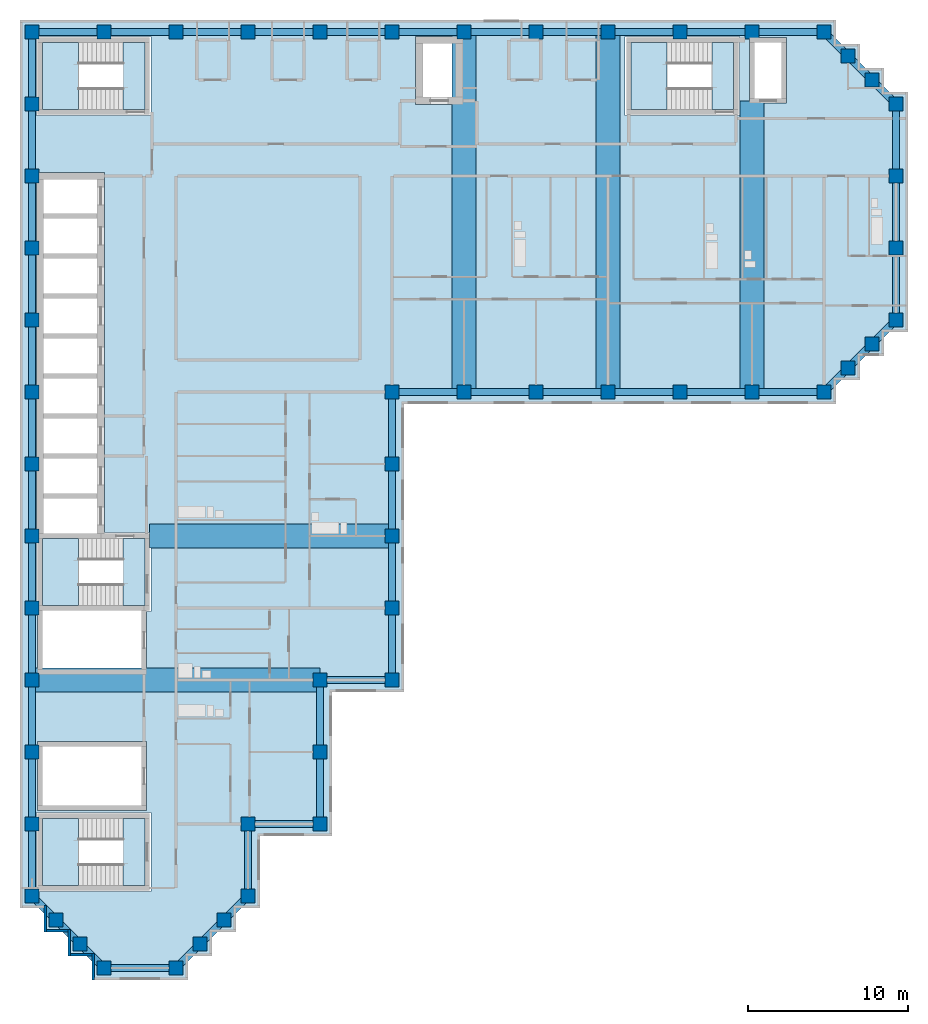
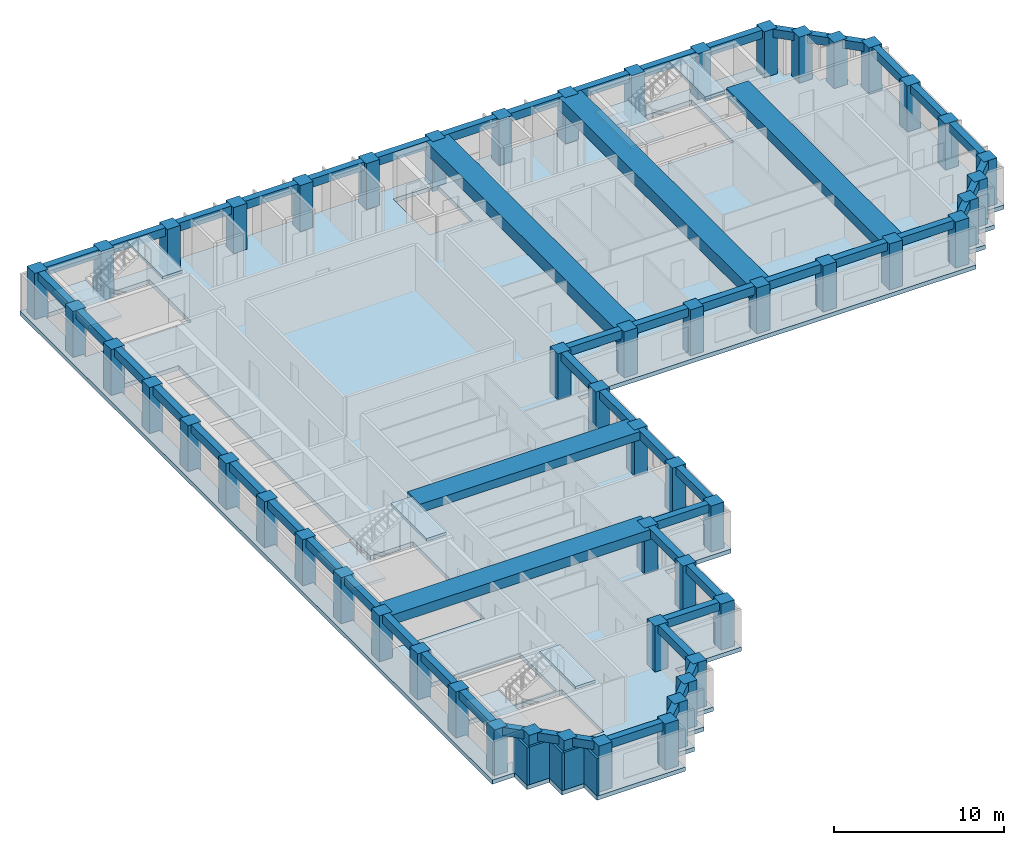
# One storey, part 1 of 10: 59 beams, 54 columns, 9 slabs, 5 walls, 4 elements without a shape of their own.
"""IFC4 building model written with IfcOpenShell, lengths in metres."""

import ifcopenshell
import ifcopenshell.guid

model = None  # the IFC model being written
_history = None  # IfcOwnerHistory: only IFC2X3 demands one
_inside = {}  # id of a spatial element -> (the spatial element, [elements in it])
_under = {}  # id of a project, library or spatial element -> (it, [spatial elements below it])
_declared = {}  # id of a project -> (the project, [libraries it declares])
_typed = {}  # id of a type object -> (the type object, [elements of that type])
_made_of = {}  # id of a material, layer set ... -> (it, [elements and type objects made of it])


def new_model(schema):
    """Start an empty IFC model of exactly this schema.

    Asked for "IFC4X3", IfcOpenShell would pick the latest addendum, in which some entities
    have other attributes; the version numbers below select the first issue.
    IFC2X3 requires an IfcOwnerHistory on every rooted entity: one is made here for all.
    """
    global model, _history
    if schema == "IFC4X3":
        model = ifcopenshell.file(schema_version=(4, 3, 0, 0))
    else:
        model = ifcopenshell.file(schema=schema)
    _inside.clear()
    _under.clear()
    _declared.clear()
    _typed.clear()
    _made_of.clear()
    _history = None
    if model.schema == "IFC2X3":
        org = make("IfcOrganization", Name="unknown")
        user = make(
            "IfcPersonAndOrganization",
            ThePerson=make("IfcPerson", FamilyName="unknown"),
            TheOrganization=org,
        )
        app = make(
            "IfcApplication",
            ApplicationDeveloper=org,
            Version="unknown",
            ApplicationFullName="unknown",
            ApplicationIdentifier="unknown",
        )
        _history = make(
            "IfcOwnerHistory",
            OwningUser=user,
            OwningApplication=app,
            ChangeAction="ADDED",
            CreationDate=0,
        )
    return model


def make(cls, **values):
    """One entity of the class cls with the attributes given. An attribute that is None is left unset."""
    return model.create_entity(
        cls, **{name: value for name, value in values.items() if value is not None}
    )


def rooted(cls, **values):
    """An entity with a GlobalId (a new one), such as an element, a storey or a relation."""
    return make(cls, GlobalId=ifcopenshell.guid.new(), OwnerHistory=_history, **values)


def si_unit(unit_type, name, prefix=None):
    """IfcSIUnit, for example si_unit("LENGTHUNIT", "METRE", prefix="MILLI")."""
    return make("IfcSIUnit", UnitType=unit_type, Prefix=prefix, Name=name)


def assignment(units):
    """IfcUnitAssignment: the units of a project."""
    return None if units is None else make("IfcUnitAssignment", Units=units)


def point(xyz):
    """IfcCartesianPoint."""
    return None if xyz is None else make("IfcCartesianPoint", Coordinates=xyz)


def direction(xyz):
    """IfcDirection."""
    return None if xyz is None else make("IfcDirection", DirectionRatios=xyz)


def frame(location, z_axis=None, x_axis=None):
    """IfcAxis2Placement3D, a coordinate frame: its origin and axes. An axis left out is left unset."""
    return make(
        "IfcAxis2Placement3D",
        Location=point(location),
        Axis=direction(z_axis),
        RefDirection=direction(x_axis),
    )


def frame_2d(location, x_axis=None):
    """IfcAxis2Placement2D, a coordinate frame in the plane: its origin and x axis."""
    return make(
        "IfcAxis2Placement2D", Location=point(location), RefDirection=direction(x_axis)
    )


def origin():
    """The frame at (0, 0, 0) with its axes left unset."""
    return frame((0.0, 0.0, 0.0))


def origin_2d():
    """The frame at (0, 0) in the plane with its x axis left unset."""
    return frame_2d((0.0, 0.0))


def place(relative_to, where):
    """IfcLocalPlacement: puts the frame where relative to a parent placement (None: the world)."""
    return make(
        "IfcLocalPlacement", PlacementRelTo=relative_to, RelativePlacement=where
    )


def context(
    kind, dimensions, precision=None, world=None, true_north=None, identifier=None
):
    """IfcGeometricRepresentationContext, for example the 3D "Model" context."""
    return make(
        "IfcGeometricRepresentationContext",
        ContextIdentifier=identifier,
        ContextType=kind,
        CoordinateSpaceDimension=dimensions,
        Precision=precision,
        WorldCoordinateSystem=world,
        TrueNorth=true_north,
    )


def subcontext(parent, identifier, kind, view, scale=None):
    """IfcGeometricRepresentationSubContext, for example "Body" below "Model"."""
    return make(
        "IfcGeometricRepresentationSubContext",
        ContextIdentifier=identifier,
        ContextType=kind,
        ParentContext=parent,
        TargetScale=scale,
        TargetView=view,
    )


def project(units=None, contexts=None):
    """IfcProject with its units and contexts."""
    return rooted(
        "IfcProject",
        Name="project",
        RepresentationContexts=contexts,
        UnitsInContext=assignment(units),
    )


def spatial(cls, under=None, at=None, **own):
    """A site, building, storey or space (cls), placed at a placement, below another one or the project."""
    s = rooted(cls, ObjectPlacement=at, **own)
    if under is not None:
        _under.setdefault(under.id(), (under, []))[1].append(s)
    return s


def polyline(points):
    """IfcPolyline through the points."""
    return make("IfcPolyline", Points=[point(p) for p in points])


def profile(cls, at=None, kind="AREA", **sizes):
    """A parametric profile (cls). Its sizes go by their IFC names, for example OverallWidth=200.0."""
    return make(cls, ProfileType=kind, Position=at, **sizes)


def rectangle(**sizes):
    """IfcRectangleProfileDef."""
    return profile("IfcRectangleProfileDef", **sizes)


def outline(outer, holes=None, kind="AREA"):
    """IfcArbitraryClosedProfileDef: a profile drawn as a closed curve; with holes, ...WithVoids."""
    if holes is None:
        return make("IfcArbitraryClosedProfileDef", ProfileType=kind, OuterCurve=outer)
    return make(
        "IfcArbitraryProfileDefWithVoids",
        ProfileType=kind,
        OuterCurve=outer,
        InnerCurves=holes,
    )


def extrude(swept, where, along, depth):
    """IfcExtrudedAreaSolid: the profile swept, set in the frame where, extruded along a direction by depth."""
    return make(
        "IfcExtrudedAreaSolid",
        SweptArea=swept,
        Position=where,
        ExtrudedDirection=direction(along),
        Depth=depth,
    )


def shape(context_of_items, identifier, shape_type, items):
    """IfcShapeRepresentation: the items that make up one representation, for example the "Body"."""
    return make(
        "IfcShapeRepresentation",
        ContextOfItems=context_of_items,
        RepresentationIdentifier=identifier,
        RepresentationType=shape_type,
        Items=items,
    )


def material(Name=None, Category=None):
    """IfcMaterial."""
    return make("IfcMaterial", Name=Name, Category=Category)


def layer(
    of_material, thickness, ventilated=None, Name=None, Category=None, Priority=None
):
    """IfcMaterialLayer: one layer of a wall or slab, of a material (None: an air gap)."""
    return make(
        "IfcMaterialLayer",
        Material=of_material,
        LayerThickness=thickness,
        IsVentilated=ventilated,
        Name=Name,
        Category=Category,
        Priority=Priority,
    )


def layer_set(layers, Name=None):
    """IfcMaterialLayerSet."""
    return make("IfcMaterialLayerSet", MaterialLayers=layers, LayerSetName=Name)


def material_profile(
    of_material, cross_section, Name=None, Category=None, Priority=None
):
    """IfcMaterialProfile: a cross section and its material."""
    return make(
        "IfcMaterialProfile",
        Name=Name,
        Material=of_material,
        Profile=cross_section,
        Priority=Priority,
        Category=Category,
    )


def profile_set(profiles, Name=None, composite=None):
    """IfcMaterialProfileSet."""
    return make(
        "IfcMaterialProfileSet",
        Name=Name,
        MaterialProfiles=profiles,
        CompositeProfile=composite,
    )


def made_of(thing, what):
    """Note that an element or type object is made of a material, layer set ...; save() writes the relation."""
    if what is not None:
        _made_of.setdefault(what.id(), (what, []))[1].append(thing)
    return thing


def type_object(cls, material=None, **own):
    """A type object (cls), such as IfcWallType, which elements share."""
    return made_of(rooted(cls, **own), material)


def element(
    cls,
    number,
    at=None,
    inside=None,
    cuts=None,
    type_object=None,
    material=None,
    context=None,
    identifier="Body",
    shape_type=None,
    held_by="IfcProductDefinitionShape",
    body=None,
    shapes=None,
    **own,
):
    """One element of the class cls, such as IfcWall. Its Tag is "e" and its number.

    at: its placement. inside: the storey or other place that contains it. cuts: it is an
    opening in that element (IfcRelVoidsElement). A single representation is given by context,
    identifier, shape_type and body (its items); several are given by shapes. held_by: the class
    of the entity that holds the representations. save() writes the other relations.
    """
    e = rooted(cls, Tag="e%d" % number, ObjectPlacement=at, **own)
    if body is not None:
        shapes = [shape(context, identifier, shape_type, body)]
    if shapes is not None:
        e.Representation = make(held_by, Representations=shapes)
    if inside is not None:
        _inside.setdefault(inside.id(), (inside, []))[1].append(e)
    if cuts is not None:
        rooted(
            "IfcRelVoidsElement", RelatingBuildingElement=cuts, RelatedOpeningElement=e
        )
    if type_object is not None:
        _typed.setdefault(type_object.id(), (type_object, []))[1].append(e)
    return made_of(e, material)


def aggregate(whole, parts):
    """IfcRelAggregates: a whole, such as a stair, and the parts it consists of."""
    return rooted("IfcRelAggregates", RelatingObject=whole, RelatedObjects=parts)


def save(model, path):
    """Write the relations noted so far, then the file.

    IfcRelAggregates (storeys below a building ...), IfcRelContainedInSpatialStructure (elements
    in a storey), IfcRelDefinesByType, IfcRelAssociatesMaterial and IfcRelDeclares: one each for
    every whole, place, type object, material and project.
    """
    for whole, parts in _under.values():
        aggregate(whole, parts)
    for where, things in _inside.values():
        rooted(
            "IfcRelContainedInSpatialStructure",
            RelatedElements=things,
            RelatingStructure=where,
        )
    for kind, things in _typed.values():
        rooted("IfcRelDefinesByType", RelatedObjects=things, RelatingType=kind)
    for what, things in _made_of.values():
        rooted("IfcRelAssociatesMaterial", RelatedObjects=things, RelatingMaterial=what)
    for by, libraries in _declared.values():
        rooted("IfcRelDeclares", RelatingContext=by, RelatedDefinitions=libraries)
    model.write(path)


model = new_model("IFC4")

# Units and contexts
model_context = context("Model", 3, precision=1e-05, world=origin(), true_north=direction((0.0, 1.0)))
body_context = subcontext(model_context, "Body", "Model", "MODEL_VIEW")
ifc_project = project(units=[si_unit("LENGTHUNIT", "METRE"), si_unit("AREAUNIT", "SQUARE_METRE"), si_unit("VOLUMEUNIT", "CUBIC_METRE"), si_unit("PLANEANGLEUNIT", "RADIAN"), si_unit("MASSUNIT", "GRAM", prefix="KILO")], contexts=[model_context])

# Site, building, storey
site_placement = place(None, origin())
site = spatial("IfcSite", under=ifc_project, at=site_placement, CompositionType="ELEMENT")
building_placement = place(site_placement, origin())
building = spatial("IfcBuilding", under=site, at=building_placement, Name="Firuza Court", CompositionType="ELEMENT")
storey_placement = place(building_placement, frame((0.0, 0.0, 193.39990234375)))
storey = spatial("IfcBuildingStorey", under=building, at=storey_placement, Name="L49", CompositionType="ELEMENT", Elevation=193.39990234375)

# Columns
ifc_material_1 = material(Name="Concrete C50/60", Category="concrete")
ifc_material_profile_1 = material_profile(ifc_material_1, rectangle(XDim=0.89990234375, YDim=0.89990234375, at=origin_2d()), Name="RC 900x900")
ifc_profile_set_1 = profile_set([ifc_material_profile_1], Name="Concrete C50/60")
column_type = type_object("IfcColumnType", Name="Tube column RC 900x900 C50/60", PredefinedType="COLUMN", material=ifc_profile_set_1)
for number, where, z_axis, x_axis, name in (
    (1, (4.5, 0.0, -0.2998046875), (0.0, 0.0, 1.0), (1.0, 0.0, 0.0), "Column C-2D L49"),
    (2, (9.0, 0.0, -0.2998046875), (0.0, 0.0, 1.0), (1.0, 0.0, 0.0), "Column C-3D L49"),
    (3, (3.0, 1.5, -0.2998046875), (0.0, 0.0, 1.0), (1.0, 0.0, 0.0), "Column C-SA1 L49"),
    (4, (10.5, 1.5, -0.2998046875), (0.0, 0.0, 1.0), (1.0, 0.0, 0.0), "Column C-SA2 L49"),
    (5, (1.5, 3.0, -0.2998046875), (0.0, 0.0, 1.0), (1.0, 0.0, 0.0), "Column C-SA3 L49"),
    (6, (12.0, 3.0, -0.2998046875), (0.0, 0.0, 1.0), (1.0, 0.0, 0.0), "Column C-SA4 L49"),
    (7, (0.0, 4.5, -0.2998046875), (0.0, 0.0, 1.0), (1.0, 0.0, 0.0), "Column C-1E L49"),
    (8, (13.5, 4.5, -0.2998046875), (0.0, 0.0, 1.0), (1.0, 0.0, 0.0), "Column C-4E L49"),
    (9, (0.0, 9.0, -0.2998046875), (0.0, 0.0, 1.0), (1.0, 0.0, 0.0), "Column C-1F L49"),
    (10, (13.5, 9.0, -0.2998046875), (0.0, 0.0, 1.0), (1.0, 0.0, 0.0), "Column C-4F L49"),
    (11, (18.0, 9.0, -0.2998046875), (0.0, 0.0, 1.0), (1.0, 0.0, 0.0), "Column C-5F L49"),
    (12, (0.0, 13.5, -0.2998046875), (0.0, 0.0, 1.0), (1.0, 0.0, 0.0), "Column C-1G L49"),
    (13, (18.0, 13.5, -0.2998046875), (0.0, 0.0, 1.0), (1.0, 0.0, 0.0), "Column C-5G L49"),
    (14, (0.0, 18.0, -0.2998046875), (0.0, 0.0, 1.0), (1.0, 0.0, 0.0), "Column C-1H L49"),
    (15, (18.0, 18.0, -0.2998046875), (0.0, 0.0, 1.0), (1.0, 0.0, 0.0), "Column C-5H L49"),
    (16, (22.5, 18.0, -0.2998046875), (0.0, 0.0, 1.0), (1.0, 0.0, 0.0), "Column C-6H L49"),
    (17, (0.0, 22.5, -0.2998046875), (0.0, 0.0, 1.0), (1.0, 0.0, 0.0), "Column C-1J L49"),
    (18, (22.5, 22.5, -0.2998046875), (0.0, 0.0, 1.0), (1.0, 0.0, 0.0), "Column C-6J L49"),
    (19, (0.0, 27.0, -0.2998046875), (0.0, 0.0, 1.0), (1.0, 0.0, 0.0), "Column C-1K L49"),
    (20, (22.5, 27.0, -0.2998046875), (0.0, 0.0, 1.0), (1.0, 0.0, 0.0), "Column C-6K L49"),
    (21, (0.0, 31.5, -0.2998046875), (0.0, 0.0, 1.0), (1.0, 0.0, 0.0), "Column C-1L L49"),
    (22, (22.5, 31.5, -0.2998046875), (0.0, 0.0, 1.0), (1.0, 0.0, 0.0), "Column C-6L L49"),
    (23, (0.0, 36.0, -0.2998046875), (0.0, 0.0, 1.0), (1.0, 0.0, 0.0), "Column C-1M L49"),
    (24, (22.5, 36.0, -0.2998046875), (0.0, 0.0, 1.0), (1.0, 0.0, 0.0), "Column C-6M L49"),
    (25, (27.0, 36.0, -0.2998046875), (0.0, 0.0, 1.0), (1.0, 0.0, 0.0), "Column C-7M L49"),
    (26, (31.5, 36.0, -0.2998046875), (0.0, 0.0, 1.0), (1.0, 0.0, 0.0), "Column C-8M L49"),
    (27, (36.0, 36.0, -0.2998046875), (0.0, 0.0, 1.0), (1.0, 0.0, 0.0), "Column C-9M L49"),
    (28, (40.5, 36.0, -0.2998046875), (0.0, 0.0, 1.0), (1.0, 0.0, 0.0), "Column C-10M L49"),
    (29, (45.0, 36.0, -0.2998046875), (0.0, 0.0, 1.0), (1.0, 0.0, 0.0), "Column C-11M L49"),
    (30, (49.5, 36.0, -0.2998046875), (0.0, 0.0, 1.0), (1.0, 0.0, 0.0), "Column C-12M L49"),
    (31, (51.0, 37.5, -0.2998046875), (0.0, 0.0, 1.0), (1.0, 0.0, 0.0), "Column C-SA5 L49"),
    (32, (52.5, 39.0, -0.2998046875), (0.0, 0.0, 1.0), (1.0, 0.0, 0.0), "Column C-SA6 L49"),
    (33, (0.0, 40.5, -0.2998046875), (0.0, 0.0, 1.0), (1.0, 0.0, 0.0), "Column C-1N L49"),
    (34, (54.0, 40.5, -0.2998046875), (0.0, 0.0, 1.0), (1.0, 0.0, 0.0), "Column C-13N L49"),
    (35, (0.0, 45.0, -0.2998046875), (0.0, 0.0, 1.0), (1.0, 0.0, 0.0), "Column C-1P L49"),
    (36, (54.0, 45.0, -0.2998046875), (0.0, 0.0, 1.0), (1.0, 0.0, 0.0), "Column C-13P L49"),
    (37, (0.0, 49.5, -0.2998046875), (0.0, 0.0, 1.0), (1.0, 0.0, 0.0), "Column C-1Q L49"),
    (38, (54.0, 49.5, -0.2998046875), (0.0, 0.0, 1.0), (1.0, 0.0, 0.0), "Column C-13Q L49"),
    (39, (0.0, 54.0, -0.2998046875), (0.0, 0.0, 1.0), (1.0, 0.0, 0.0), "Column C-1R L49"),
    (40, (54.0, 54.0, -0.2998046875), (0.0, 0.0, 1.0), (1.0, 0.0, 0.0), "Column C-13R L49"),
    (41, (52.5, 55.5, -0.2998046875), (0.0, 0.0, 1.0), (1.0, 0.0, 0.0), "Column C-SA7 L49"),
    (42, (51.0, 57.0, -0.2998046875), (0.0, 0.0, 1.0), (1.0, 0.0, 0.0), "Column C-SA8 L49"),
    (43, (0.0, 58.5, -0.2998046875), (0.0, 0.0, 1.0), (1.0, 0.0, 0.0), "Column C-1S L49"),
    (44, (4.5, 58.5, -0.2998046875), (0.0, 0.0, 1.0), (1.0, 0.0, 0.0), "Column C-2S L49"),
    (45, (9.0, 58.5, -0.2998046875), (0.0, 0.0, 1.0), (1.0, 0.0, 0.0), "Column C-3S L49"),
    (46, (13.5, 58.5, -0.2998046875), (0.0, 0.0, 1.0), (1.0, 0.0, 0.0), "Column C-4S L49"),
    (47, (18.0, 58.5, -0.2998046875), (0.0, 0.0, 1.0), (1.0, 0.0, 0.0), "Column C-5S L49"),
    (48, (22.5, 58.5, -0.2998046875), (0.0, 0.0, 1.0), (1.0, 0.0, 0.0), "Column C-6S L49"),
    (49, (27.0, 58.5, -0.2998046875), (0.0, 0.0, 1.0), (1.0, 0.0, 0.0), "Column C-7S L49"),
    (50, (31.5, 58.5, -0.2998046875), (0.0, 0.0, 1.0), (1.0, 0.0, 0.0), "Column C-8S L49"),
    (51, (36.0, 58.5, -0.2998046875), (0.0, 0.0, 1.0), (1.0, 0.0, 0.0), "Column C-9S L49"),
    (52, (40.5, 58.5, -0.2998046875), (0.0, 0.0, 1.0), (1.0, 0.0, 0.0), "Column C-10S L49"),
    (53, (45.0, 58.5, -0.2998046875), (0.0, 0.0, 1.0), (1.0, 0.0, 0.0), "Column C-11S L49"),
    (54, (49.5, 58.5, -0.2998046875), (0.0, 0.0, 1.0), (1.0, 0.0, 0.0), "Column C-12S L49"),
):
    element("IfcColumn", number, at=place(storey_placement, frame(where, z_axis=z_axis, x_axis=x_axis)), inside=storey, type_object=column_type, Name=name, PredefinedType="COLUMN", context=body_context, shape_type="SweptSolid", body=[
        extrude(rectangle(XDim=0.89990234375, YDim=0.89990234375, at=origin_2d()), origin(), (0.0, 0.0, 1.0), 3.599853515625),
    ])

# Beams
ifc_material_2 = material(Name="Concrete C40/50", Category="concrete")
ifc_material_profile_2 = material_profile(ifc_material_2, rectangle(XDim=1.5, YDim=0.60009765625, at=origin_2d()), Name="RC 1500x600")
ifc_profile_set_2 = profile_set([ifc_material_profile_2], Name="Concrete C40/50")
beam_type_1 = type_object("IfcBeamType", Name="Band beam RC 1500x600 C40/50", PredefinedType="BEAM", material=ifc_profile_set_2)
beam_1_placement = place(storey_placement, frame((22.5, 27.0, 3.0), z_axis=(-1.0, 0.0, 0.0), x_axis=(0.0, -1.0, 0.0)))
element("IfcBeam", 55, at=beam_1_placement, inside=storey, type_object=beam_type_1, Name="Band beam FB3 level L50", PredefinedType="BEAM", context=body_context, shape_type="SweptSolid", body=[
    extrude(rectangle(XDim=1.5, YDim=0.60009765625, at=origin_2d()), origin(), (0.0, 0.0, 1.0), 15.14990234375),
])
ifc_material_3 = material(Name="Concrete C40/50", Category="concrete")
ifc_material_profile_3 = material_profile(ifc_material_3, rectangle(XDim=1.5, YDim=0.699951171875, at=origin_2d()), Name="RC 1500x700")
ifc_profile_set_3 = profile_set([ifc_material_profile_3], Name="Concrete C40/50")
beam_type_2 = type_object("IfcBeamType", Name="Band beam RC 1500x700 C40/50", PredefinedType="BEAM", material=ifc_profile_set_3)
beam_2_placement = place(storey_placement, frame((0.0, 18.0, 2.9501953125), z_axis=(1.0, 0.0, 0.0), x_axis=(0.0, 1.0, 0.0)))
element("IfcBeam", 56, at=beam_2_placement, inside=storey, type_object=beam_type_2, Name="Band beam FB1 level L50", PredefinedType="BEAM", context=body_context, shape_type="SweptSolid", body=[
    extrude(rectangle(XDim=1.5, YDim=0.699951171875, at=origin_2d()), origin(), (0.0, 0.0, 1.0), 18.0),
])
beam_3_placement = place(storey_placement, frame((45.0, 36.0, 2.9501953125), z_axis=(0.0, 1.0, 0.0), x_axis=(-1.0, 0.0, 0.0)))
element("IfcBeam", 57, at=beam_3_placement, inside=storey, type_object=beam_type_2, Name="Band beam FB1 level L50", PredefinedType="BEAM", context=body_context, shape_type="SweptSolid", body=[
    extrude(rectangle(XDim=1.5, YDim=0.699951171875, at=origin_2d()), origin(), (0.0, 0.0, 1.0), 18.199951171875),
])
ifc_material_4 = material(Name="Concrete C40/50", Category="concrete")
ifc_material_profile_4 = material_profile(ifc_material_4, rectangle(XDim=1.5, YDim=0.89990234375, at=origin_2d()), Name="RC 1500x900")
ifc_profile_set_4 = profile_set([ifc_material_profile_4], Name="Concrete C40/50")
beam_type_3 = type_object("IfcBeamType", Name="Band beam RC 1500x900 C40/50", PredefinedType="BEAM", material=ifc_profile_set_4)
for number, where, z_axis, x_axis, name in (
    (58, (27.0, 36.0, 2.85009765625), (0.0, 1.0, 0.0), (-1.0, 0.0, 0.0), "Band beam FB2 level L50"),
    (59, (36.0, 36.0, 2.85009765625), (0.0, 1.0, 0.0), (-1.0, 0.0, 0.0), "Band beam FB2 level L50"),
):
    element("IfcBeam", number, at=place(storey_placement, frame(where, z_axis=z_axis, x_axis=x_axis)), inside=storey, type_object=beam_type_3, Name=name, PredefinedType="BEAM", context=body_context, shape_type="SweptSolid", body=[
        extrude(rectangle(XDim=1.5, YDim=0.89990234375, at=origin_2d()), origin(), (0.0, 0.0, 1.0), 22.5),
    ])
ifc_material_5 = material(Name="Concrete C40/50", Category="concrete")
ifc_material_profile_5 = material_profile(ifc_material_5, rectangle(XDim=0.449951171875, YDim=0.60009765625, at=origin_2d()), Name="RC 450x600")
ifc_profile_set_5 = profile_set([ifc_material_profile_5], Name="Concrete C40/50")
beam_type_4 = type_object("IfcBeamType", Name="Spandrel beam RC 450x600 C40/50", PredefinedType="BEAM", material=ifc_profile_set_5)
beam_4_placement = place(storey_placement, frame((0.0, 4.5, 3.0), z_axis=(0.707106781187, -0.707106781187, 0.0), x_axis=(0.707106781187, 0.707106781187, 0.0)))
element("IfcBeam", 60, at=beam_4_placement, inside=storey, type_object=beam_type_4, Name="Spandrel beam SP15 level L50", PredefinedType="BEAM", context=body_context, shape_type="SweptSolid", body=[
    extrude(rectangle(XDim=0.449951171875, YDim=0.60009765625, at=origin_2d()), origin(), (0.0, 0.0, 1.0), 2.121337890625),
])
for number, where, z_axis, x_axis, name in (
    (61, (0.0, 9.0, 3.0), (0.0, -1.0, 0.0), (1.0, 0.0, 0.0), "Spandrel beam SP15 level L50"),
    (62, (0.0, 13.5, 3.0), (0.0, -1.0, 0.0), (1.0, 0.0, 0.0), "Spandrel beam SP15 level L50"),
    (63, (0.0, 18.0, 3.0), (0.0, -1.0, 0.0), (1.0, 0.0, 0.0), "Spandrel beam SP15 level L50"),
    (64, (0.0, 22.5, 3.0), (0.0, -1.0, 0.0), (1.0, 0.0, 0.0), "Spandrel beam SP15 level L50"),
    (65, (0.0, 27.0, 3.0), (0.0, -1.0, 0.0), (1.0, 0.0, 0.0), "Spandrel beam SP15 level L50"),
    (66, (0.0, 31.5, 3.0), (0.0, -1.0, 0.0), (1.0, 0.0, 0.0), "Spandrel beam SP15 level L50"),
    (67, (0.0, 36.0, 3.0), (0.0, -1.0, 0.0), (1.0, 0.0, 0.0), "Spandrel beam SP15 level L50"),
    (68, (0.0, 40.5, 3.0), (0.0, -1.0, 0.0), (1.0, 0.0, 0.0), "Spandrel beam SP15 level L50"),
    (69, (0.0, 45.0, 3.0), (0.0, -1.0, 0.0), (1.0, 0.0, 0.0), "Spandrel beam SP15 level L50"),
    (70, (0.0, 49.5, 3.0), (0.0, -1.0, 0.0), (1.0, 0.0, 0.0), "Spandrel beam SP15 level L50"),
    (71, (0.0, 54.0, 3.0), (0.0, -1.0, 0.0), (1.0, 0.0, 0.0), "Spandrel beam SP15 level L50"),
    (72, (0.0, 58.5, 3.0), (0.0, -1.0, 0.0), (1.0, 0.0, 0.0), "Spandrel beam SP15 level L50"),
):
    element("IfcBeam", number, at=place(storey_placement, frame(where, z_axis=z_axis, x_axis=x_axis)), inside=storey, type_object=beam_type_4, Name=name, PredefinedType="BEAM", context=body_context, shape_type="SweptSolid", body=[
        extrude(rectangle(XDim=0.449951171875, YDim=0.60009765625, at=origin_2d()), origin(), (0.0, 0.0, 1.0), 4.5),
    ])
for number, where, z_axis, x_axis, name in (
    (73, (1.5, 3.0, 3.0), (0.707106781187, -0.707106781187, 0.0), (0.707106781187, 0.707106781187, 0.0), "Spandrel beam SP15 level L50"),
    (74, (3.0, 1.5, 3.0), (0.707106781187, -0.707106781187, 0.0), (0.707106781187, 0.707106781187, 0.0), "Spandrel beam SP15 level L50"),
):
    element("IfcBeam", number, at=place(storey_placement, frame(where, z_axis=z_axis, x_axis=x_axis)), inside=storey, type_object=beam_type_4, Name=name, PredefinedType="BEAM", context=body_context, shape_type="SweptSolid", body=[
        extrude(rectangle(XDim=0.449951171875, YDim=0.60009765625, at=origin_2d()), origin(), (0.0, 0.0, 1.0), 2.121337890625),
    ])
for number, where, z_axis, x_axis, name in (
    (75, (4.5, 0.0, 3.0), (1.0, 0.0, 0.0), (0.0, 1.0, 0.0), "Spandrel beam SP15 level L50"),
    (76, (4.5, 58.5, 3.0), (-1.0, 0.0, 0.0), (0.0, -1.0, 0.0), "Spandrel beam SP15 level L50"),
):
    element("IfcBeam", number, at=place(storey_placement, frame(where, z_axis=z_axis, x_axis=x_axis)), inside=storey, type_object=beam_type_4, Name=name, PredefinedType="BEAM", context=body_context, shape_type="SweptSolid", body=[
        extrude(rectangle(XDim=0.449951171875, YDim=0.60009765625, at=origin_2d()), origin(), (0.0, 0.0, 1.0), 4.5),
    ])
beam_5_placement = place(storey_placement, frame((9.0, 0.0, 3.0), z_axis=(0.707106781187, 0.707106781187, 0.0), x_axis=(-0.707106781187, 0.707106781187, 0.0)))
element("IfcBeam", 77, at=beam_5_placement, inside=storey, type_object=beam_type_4, Name="Spandrel beam SP15 level L50", PredefinedType="BEAM", context=body_context, shape_type="SweptSolid", body=[
    extrude(rectangle(XDim=0.449951171875, YDim=0.60009765625, at=origin_2d()), origin(), (0.0, 0.0, 1.0), 2.121337890625),
])
beam_6_placement = place(storey_placement, frame((9.0, 58.5, 3.0), z_axis=(-1.0, 0.0, 0.0), x_axis=(0.0, -1.0, 0.0)))
element("IfcBeam", 78, at=beam_6_placement, inside=storey, type_object=beam_type_4, Name="Spandrel beam SP15 level L50", PredefinedType="BEAM", context=body_context, shape_type="SweptSolid", body=[
    extrude(rectangle(XDim=0.449951171875, YDim=0.60009765625, at=origin_2d()), origin(), (0.0, 0.0, 1.0), 4.5),
])
for number, where, z_axis, x_axis, name in (
    (79, (10.5, 1.5, 3.0), (0.707106781187, 0.707106781187, 0.0), (-0.707106781187, 0.707106781187, 0.0), "Spandrel beam SP15 level L50"),
    (80, (12.0, 3.0, 3.0), (0.707106781187, 0.707106781187, 0.0), (-0.707106781187, 0.707106781187, 0.0), "Spandrel beam SP15 level L50"),
):
    element("IfcBeam", number, at=place(storey_placement, frame(where, z_axis=z_axis, x_axis=x_axis)), inside=storey, type_object=beam_type_4, Name=name, PredefinedType="BEAM", context=body_context, shape_type="SweptSolid", body=[
        extrude(rectangle(XDim=0.449951171875, YDim=0.60009765625, at=origin_2d()), origin(), (0.0, 0.0, 1.0), 2.121337890625),
    ])
for number, where, z_axis, x_axis, name in (
    (81, (13.5, 4.5, 3.0), (0.0, 1.0, 0.0), (-1.0, 0.0, 0.0), "Spandrel beam SP15 level L50"),
    (82, (13.5, 9.0, 3.0), (1.0, 0.0, 0.0), (0.0, 1.0, 0.0), "Spandrel beam SP15 level L50"),
    (83, (13.5, 58.5, 3.0), (-1.0, 0.0, 0.0), (0.0, -1.0, 0.0), "Spandrel beam SP15 level L50"),
    (84, (18.0, 9.0, 3.0), (0.0, 1.0, 0.0), (-1.0, 0.0, 0.0), "Spandrel beam SP15 level L50"),
    (85, (18.0, 13.5, 3.0), (0.0, 1.0, 0.0), (-1.0, 0.0, 0.0), "Spandrel beam SP15 level L50"),
    (86, (18.0, 18.0, 3.0), (1.0, 0.0, 0.0), (0.0, 1.0, 0.0), "Spandrel beam SP15 level L50"),
    (87, (18.0, 58.5, 3.0), (-1.0, 0.0, 0.0), (0.0, -1.0, 0.0), "Spandrel beam SP15 level L50"),
    (88, (22.5, 18.0, 3.0), (0.0, 1.0, 0.0), (-1.0, 0.0, 0.0), "Spandrel beam SP15 level L50"),
    (89, (22.5, 22.5, 3.0), (0.0, 1.0, 0.0), (-1.0, 0.0, 0.0), "Spandrel beam SP15 level L50"),
    (90, (22.5, 27.0, 3.0), (0.0, 1.0, 0.0), (-1.0, 0.0, 0.0), "Spandrel beam SP15 level L50"),
    (91, (22.5, 31.5, 3.0), (0.0, 1.0, 0.0), (-1.0, 0.0, 0.0), "Spandrel beam SP15 level L50"),
    (92, (22.5, 36.0, 3.0), (1.0, 0.0, 0.0), (0.0, 1.0, 0.0), "Spandrel beam SP15 level L50"),
    (93, (22.5, 58.5, 3.0), (-1.0, 0.0, 0.0), (0.0, -1.0, 0.0), "Spandrel beam SP15 level L50"),
    (94, (27.0, 36.0, 3.0), (1.0, 0.0, 0.0), (0.0, 1.0, 0.0), "Spandrel beam SP15 level L50"),
    (95, (27.0, 58.5, 3.0), (-1.0, 0.0, 0.0), (0.0, -1.0, 0.0), "Spandrel beam SP15 level L50"),
    (96, (31.5, 36.0, 3.0), (1.0, 0.0, 0.0), (0.0, 1.0, 0.0), "Spandrel beam SP15 level L50"),
    (97, (31.5, 58.5, 3.0), (-1.0, 0.0, 0.0), (0.0, -1.0, 0.0), "Spandrel beam SP15 level L50"),
    (98, (36.0, 36.0, 3.0), (1.0, 0.0, 0.0), (0.0, 1.0, 0.0), "Spandrel beam SP15 level L50"),
    (99, (36.0, 58.5, 3.0), (-1.0, 0.0, 0.0), (0.0, -1.0, 0.0), "Spandrel beam SP15 level L50"),
    (100, (40.5, 36.0, 3.0), (1.0, 0.0, 0.0), (0.0, 1.0, 0.0), "Spandrel beam SP15 level L50"),
    (101, (40.5, 58.5, 3.0), (-1.0, 0.0, 0.0), (0.0, -1.0, 0.0), "Spandrel beam SP15 level L50"),
    (102, (45.0, 36.0, 3.0), (1.0, 0.0, 0.0), (0.0, 1.0, 0.0), "Spandrel beam SP15 level L50"),
    (103, (45.0, 58.5, 3.0), (-1.0, 0.0, 0.0), (0.0, -1.0, 0.0), "Spandrel beam SP15 level L50"),
):
    element("IfcBeam", number, at=place(storey_placement, frame(where, z_axis=z_axis, x_axis=x_axis)), inside=storey, type_object=beam_type_4, Name=name, PredefinedType="BEAM", context=body_context, shape_type="SweptSolid", body=[
        extrude(rectangle(XDim=0.449951171875, YDim=0.60009765625, at=origin_2d()), origin(), (0.0, 0.0, 1.0), 4.5),
    ])
beam_7_placement = place(storey_placement, frame((49.5, 36.0, 3.0), z_axis=(0.707106781187, 0.707106781187, 0.0), x_axis=(-0.707106781187, 0.707106781187, 0.0)))
element("IfcBeam", 104, at=beam_7_placement, inside=storey, type_object=beam_type_4, Name="Spandrel beam SP15 level L50", PredefinedType="BEAM", context=body_context, shape_type="SweptSolid", body=[
    extrude(rectangle(XDim=0.449951171875, YDim=0.60009765625, at=origin_2d()), origin(), (0.0, 0.0, 1.0), 2.121337890625),
])
beam_8_placement = place(storey_placement, frame((49.5, 58.5, 3.0), z_axis=(-1.0, 0.0, 0.0), x_axis=(0.0, -1.0, 0.0)))
element("IfcBeam", 105, at=beam_8_placement, inside=storey, type_object=beam_type_4, Name="Spandrel beam SP15 level L50", PredefinedType="BEAM", context=body_context, shape_type="SweptSolid", body=[
    extrude(rectangle(XDim=0.449951171875, YDim=0.60009765625, at=origin_2d()), origin(), (0.0, 0.0, 1.0), 4.5),
])
for number, where, z_axis, x_axis, name in (
    (106, (51.0, 37.5, 3.0), (0.707106781187, 0.707106781187, 0.0), (-0.707106781187, 0.707106781187, 0.0), "Spandrel beam SP15 level L50"),
    (107, (51.0, 57.0, 3.0), (-0.707106781187, 0.707106781187, 0.0), (-0.707106781187, -0.707106781187, 0.0), "Spandrel beam SP15 level L50"),
    (108, (52.5, 39.0, 3.0), (0.707106781187, 0.707106781187, 0.0), (-0.707106781187, 0.707106781187, 0.0), "Spandrel beam SP15 level L50"),
    (109, (52.5, 55.5, 3.0), (-0.707106781187, 0.707106781187, 0.0), (-0.707106781187, -0.707106781187, 0.0), "Spandrel beam SP15 level L50"),
):
    element("IfcBeam", number, at=place(storey_placement, frame(where, z_axis=z_axis, x_axis=x_axis)), inside=storey, type_object=beam_type_4, Name=name, PredefinedType="BEAM", context=body_context, shape_type="SweptSolid", body=[
        extrude(rectangle(XDim=0.449951171875, YDim=0.60009765625, at=origin_2d()), origin(), (0.0, 0.0, 1.0), 2.121337890625),
    ])
for number, where, z_axis, x_axis, name in (
    (110, (54.0, 40.5, 3.0), (0.0, 1.0, 0.0), (-1.0, 0.0, 0.0), "Spandrel beam SP15 level L50"),
    (111, (54.0, 45.0, 3.0), (0.0, 1.0, 0.0), (-1.0, 0.0, 0.0), "Spandrel beam SP15 level L50"),
    (112, (54.0, 49.5, 3.0), (0.0, 1.0, 0.0), (-1.0, 0.0, 0.0), "Spandrel beam SP15 level L50"),
):
    element("IfcBeam", number, at=place(storey_placement, frame(where, z_axis=z_axis, x_axis=x_axis)), inside=storey, type_object=beam_type_4, Name=name, PredefinedType="BEAM", context=body_context, shape_type="SweptSolid", body=[
        extrude(rectangle(XDim=0.449951171875, YDim=0.60009765625, at=origin_2d()), origin(), (0.0, 0.0, 1.0), 4.5),
    ])
beam_9_placement = place(storey_placement, frame((54.0, 54.0, 3.0), z_axis=(-0.707106781187, 0.707106781187, 0.0), x_axis=(-0.707106781187, -0.707106781187, 0.0)))
element("IfcBeam", 113, at=beam_9_placement, inside=storey, type_object=beam_type_4, Name="Spandrel beam SP15 level L50", PredefinedType="BEAM", context=body_context, shape_type="SweptSolid", body=[
    extrude(rectangle(XDim=0.449951171875, YDim=0.60009765625, at=origin_2d()), origin(), (0.0, 0.0, 1.0), 2.121337890625),
])

# Slab
ifc_material_6 = material(Name="Concrete C40/50", Category="concrete")
ifc_layer_1 = layer(ifc_material_6, 0.300048828125)
ifc_layer_set_1 = layer_set([ifc_layer_1], Name="Concrete C40/50")
slab_type_1 = type_object("IfcSlabType", Name="Floor slab 300 C40/50", PredefinedType="FLOOR", material=ifc_layer_set_1)
slab_1_placement = place(storey_placement, frame((0.0, 0.0, -0.2998046875)))
element("IfcSlab", 114, at=slab_1_placement, inside=storey, type_object=slab_type_1, Name="Floor slab L49", PredefinedType="FLOOR", context=body_context, shape_type="SweptSolid", body=[
    extrude(outline(polyline([(-0.75, 59.25), (50.25, 59.25), (50.25, 57.75), (51.75, 57.75), (51.75, 56.25), (53.25, 56.25), (53.25, 54.75), (54.75, 54.75), (54.75, 39.75), (53.25, 39.75), (53.25, 38.25), (51.75, 38.25), (51.75, 36.75), (50.25, 36.75), (50.25, 35.25), (23.25, 35.25), (23.25, 17.25), (18.75, 17.25), (18.75, 8.25), (14.25, 8.25), (14.25, 3.75), (12.75, 3.75), (12.75, 2.25), (11.25, 2.25), (11.25, 0.75), (9.75, 0.75), (9.75, -0.75), (3.75, -0.75), (3.75, 0.75), (2.25, 0.75), (2.25, 2.25), (0.75, 2.25), (0.75, 3.75), (-0.75, 3.75), (-0.75, 59.25)]), holes=[polyline([(0.27490234375, 29.72509765625), (0.27490234375, 29.27490234375), (0.27490234375, 27.22509765625), (0.27490234375, 26.77490234375), (0.27490234375, 22.27490234375), (0.35009765625, 22.27490234375), (0.35009765625, 18.35009765625), (7.14990234375, 18.35009765625), (7.14990234375, 22.27490234375), (7.425048828125, 22.27490234375), (7.425048828125, 27.22509765625), (4.52490234375, 27.22509765625), (4.52490234375, 29.27490234375), (4.52490234375, 29.72509765625), (4.52490234375, 31.77490234375), (4.52490234375, 32.22509765625), (4.52490234375, 34.27490234375), (4.52490234375, 34.72509765625), (4.52490234375, 36.77490234375), (4.52490234375, 37.22509765625), (4.52490234375, 39.27490234375), (4.52490234375, 39.72509765625), (4.52490234375, 41.77490234375), (4.52490234375, 42.22509765625), (4.52490234375, 44.27490234375), (4.52490234375, 44.72509765625), (4.52490234375, 46.77490234375), (4.52490234375, 47.22509765625), (4.52490234375, 49.72509765625), (0.27490234375, 49.72509765625), (0.27490234375, 47.22509765625), (0.27490234375, 46.77490234375), (0.27490234375, 44.72509765625), (0.27490234375, 44.27490234375), (0.27490234375, 42.22509765625), (0.27490234375, 41.77490234375), (0.27490234375, 39.72509765625), (0.27490234375, 39.27490234375), (0.27490234375, 37.22509765625), (0.27490234375, 36.77490234375), (0.27490234375, 34.72509765625), (0.27490234375, 34.27490234375), (0.27490234375, 32.22509765625), (0.27490234375, 31.77490234375), (0.27490234375, 29.72509765625)]), polyline([(7.425048828125, 9.72509765625), (0.27490234375, 9.72509765625), (0.27490234375, 4.77490234375), (7.425048828125, 4.77490234375), (7.425048828125, 9.72509765625)]), polyline([(7.14990234375, 14.14990234375), (0.35009765625, 14.14990234375), (0.35009765625, 9.85009765625), (7.14990234375, 9.85009765625), (7.14990234375, 14.14990234375)]), polyline([(7.425048828125, 58.22509765625), (0.27490234375, 58.22509765625), (0.27490234375, 53.27490234375), (7.425048828125, 53.27490234375), (7.425048828125, 58.22509765625)]), polyline([(44.22509765625, 58.22509765625), (37.074951171875, 58.22509765625), (37.074951171875, 53.27490234375), (44.22509765625, 53.27490234375), (44.22509765625, 58.22509765625)]), polyline([(26.925048828125, 53.97509765625), (26.925048828125, 58.22509765625), (23.97509765625, 58.22509765625), (23.97509765625, 53.97509765625), (26.925048828125, 53.97509765625)]), polyline([(47.14990234375, 54.050048828125), (47.14990234375, 58.14990234375), (44.85009765625, 58.14990234375), (44.85009765625, 54.050048828125), (47.14990234375, 54.050048828125)])]), origin(), (0.0, 0.0, 1.0), 0.2998046875),
])

# Stair, slabs
ifc_material_7 = material(Name="Concrete C40/50 precast", Category="concrete")
stair_type = type_object("IfcStairType", Name="Stair 1350 x 3600 2 flights", PredefinedType="HALF_TURN_STAIR", material=ifc_material_7)
stair_1_placement = place(storey_placement, origin())
stair_1 = element("IfcStair", 115, at=stair_1_placement, inside=storey, type_object=stair_type, Name="Stair 1 L49", PredefinedType="HALF_TURN_STAIR")
ifc_material_8 = material(Name="Concrete C40/50 precast", Category="concrete")
ifc_layer_2 = layer(ifc_material_8, 0.199951171875)
ifc_layer_set_2 = layer_set([ifc_layer_2], Name="Concrete C40/50 precast")
slab_type_2 = type_object("IfcSlabType", Name="Stair landing 200", PredefinedType="LANDING", material=ifc_layer_set_2)
slab_2_placement = place(storey_placement, frame((0.0, 0.0, 1.60009765625)))
slab_2 = element("IfcSlab", 116, at=slab_2_placement, type_object=slab_type_2, Name="S1 landing 1", PredefinedType="LANDING", context=body_context, shape_type="SweptSolid", body=[
    extrude(outline(polyline([(39.699951171875, 53.64990234375), (39.699951171875, 57.85009765625), (37.449951171875, 57.85009765625), (37.449951171875, 53.64990234375), (39.699951171875, 53.64990234375)])), origin(), (0.0, 0.0, 1.0), 0.199951171875),
])
slab_3_placement = place(storey_placement, frame((0.0, 0.0, 3.400146484375)))
slab_3 = element("IfcSlab", 117, at=slab_3_placement, type_object=slab_type_2, Name="S1 landing 2", PredefinedType="LANDING", context=body_context, shape_type="SweptSolid", body=[
    extrude(outline(polyline([(43.85009765625, 53.64990234375), (43.85009765625, 57.85009765625), (42.5, 57.85009765625), (42.5, 53.64990234375), (43.85009765625, 53.64990234375)])), origin(), (0.0, 0.0, 1.0), 0.199951171875),
])
aggregate(stair_1, [slab_2, slab_3])

stair_2_placement = place(storey_placement, origin())
stair_2 = element("IfcStair", 118, at=stair_2_placement, inside=storey, type_object=stair_type, Name="Stair 2 L49", PredefinedType="HALF_TURN_STAIR")
slab_4_placement = place(storey_placement, frame((0.0, 0.0, 1.60009765625)))
slab_4 = element("IfcSlab", 119, at=slab_4_placement, type_object=slab_type_2, Name="S2 landing 1", PredefinedType="LANDING", context=body_context, shape_type="SweptSolid", body=[
    extrude(outline(polyline([(2.89990234375, 22.64990234375), (2.89990234375, 26.85009765625), (0.64990234375, 26.85009765625), (0.64990234375, 22.64990234375), (2.89990234375, 22.64990234375)])), origin(), (0.0, 0.0, 1.0), 0.199951171875),
])
slab_5_placement = place(storey_placement, frame((0.0, 0.0, 3.400146484375)))
slab_5 = element("IfcSlab", 120, at=slab_5_placement, type_object=slab_type_2, Name="S2 landing 2", PredefinedType="LANDING", context=body_context, shape_type="SweptSolid", body=[
    extrude(outline(polyline([(7.050048828125, 22.64990234375), (7.050048828125, 26.85009765625), (5.699951171875, 26.85009765625), (5.699951171875, 22.64990234375), (7.050048828125, 22.64990234375)])), origin(), (0.0, 0.0, 1.0), 0.199951171875),
])
aggregate(stair_2, [slab_4, slab_5])

stair_3_placement = place(storey_placement, origin())
stair_3 = element("IfcStair", 121, at=stair_3_placement, inside=storey, type_object=stair_type, Name="Stair 3 L49", PredefinedType="HALF_TURN_STAIR")
slab_6_placement = place(storey_placement, frame((0.0, 0.0, 1.60009765625)))
slab_6 = element("IfcSlab", 122, at=slab_6_placement, type_object=slab_type_2, Name="S3 landing 1", PredefinedType="LANDING", context=body_context, shape_type="SweptSolid", body=[
    extrude(outline(polyline([(2.89990234375, 53.64990234375), (2.89990234375, 57.85009765625), (0.64990234375, 57.85009765625), (0.64990234375, 53.64990234375), (2.89990234375, 53.64990234375)])), origin(), (0.0, 0.0, 1.0), 0.199951171875),
])
slab_7_placement = place(storey_placement, frame((0.0, 0.0, 3.400146484375)))
slab_7 = element("IfcSlab", 123, at=slab_7_placement, type_object=slab_type_2, Name="S3 landing 2", PredefinedType="LANDING", context=body_context, shape_type="SweptSolid", body=[
    extrude(outline(polyline([(7.050048828125, 53.64990234375), (7.050048828125, 57.85009765625), (5.699951171875, 57.85009765625), (5.699951171875, 53.64990234375), (7.050048828125, 53.64990234375)])), origin(), (0.0, 0.0, 1.0), 0.199951171875),
])
aggregate(stair_3, [slab_6, slab_7])

stair_4_placement = place(storey_placement, origin())
stair_4 = element("IfcStair", 124, at=stair_4_placement, inside=storey, type_object=stair_type, Name="Stair 5 L49", PredefinedType="HALF_TURN_STAIR")
slab_8_placement = place(storey_placement, frame((0.0, 0.0, 1.60009765625)))
slab_8 = element("IfcSlab", 125, at=slab_8_placement, type_object=slab_type_2, Name="S5 landing 1", PredefinedType="LANDING", context=body_context, shape_type="SweptSolid", body=[
    extrude(outline(polyline([(2.89990234375, 5.14990234375), (2.89990234375, 9.35009765625), (0.64990234375, 9.35009765625), (0.64990234375, 5.14990234375), (2.89990234375, 5.14990234375)])), origin(), (0.0, 0.0, 1.0), 0.199951171875),
])
slab_9_placement = place(storey_placement, frame((0.0, 0.0, 3.400146484375)))
slab_9 = element("IfcSlab", 126, at=slab_9_placement, type_object=slab_type_2, Name="S5 landing 2", PredefinedType="LANDING", context=body_context, shape_type="SweptSolid", body=[
    extrude(outline(polyline([(7.050048828125, 5.14990234375), (7.050048828125, 9.35009765625), (5.699951171875, 9.35009765625), (5.699951171875, 5.14990234375), (7.050048828125, 5.14990234375)])), origin(), (0.0, 0.0, 1.0), 0.199951171875),
])
aggregate(stair_4, [slab_8, slab_9])

# Walls
ifc_material_9 = material(Name="Ceramic tile", Category="ceramic")
ifc_layer_3 = layer(ifc_material_9, 0.02001953125)
ifc_material_10 = material(Name="Mineral wool insulation", Category="insulation")
ifc_layer_4 = layer(ifc_material_10, 0.050048828125)
ifc_layer_5 = layer(ifc_material_8, 0.080078125)
ifc_layer_set_3 = layer_set([ifc_layer_3, ifc_layer_4, ifc_layer_5], Name="Concrete C40/50 precast")
wall_type = type_object("IfcWallType", Name="Precast cladding wall with turquoise TILE PANEL face 150", PredefinedType="STANDARD", material=ifc_layer_set_3)
wall_1_placement = place(storey_placement, frame((0.824951171875, 3.89990234375, 0.0), z_axis=(0.0, 0.0, 1.0), x_axis=(0.0, -1.0, 0.0)))
element("IfcWall", 127, at=wall_1_placement, inside=storey, type_object=wall_type, Name="Facade wall L49 W", PredefinedType="STANDARD", context=body_context, shape_type="SweptSolid", body=[
    extrude(rectangle(XDim=1.64990234375, YDim=0.14990234375, at=frame_2d((0.824951171875, 0.0))), origin(), (0.0, 0.0, 1.0), 2.7001953125),
])
wall_2_placement = place(storey_placement, frame((0.89990234375, 2.324951171875, 0.0), z_axis=(0.0, 0.0, 1.0), x_axis=(1.0, 0.0, 0.0)))
element("IfcWall", 128, at=wall_2_placement, inside=storey, type_object=wall_type, Name="Facade wall L49 S", PredefinedType="STANDARD", context=body_context, shape_type="SweptSolid", body=[
    extrude(rectangle(XDim=1.35009765625, YDim=0.14990234375, at=frame_2d((0.675048828125, 0.0))), origin(), (0.0, 0.0, 1.0), 2.7001953125),
])
wall_3_placement = place(storey_placement, frame((2.324951171875, 2.39990234375, 0.0), z_axis=(0.0, 0.0, 1.0), x_axis=(0.0, -1.0, 0.0)))
element("IfcWall", 129, at=wall_3_placement, inside=storey, type_object=wall_type, Name="Facade wall L49 W", PredefinedType="STANDARD", context=body_context, shape_type="SweptSolid", body=[
    extrude(rectangle(XDim=1.64990234375, YDim=0.14990234375, at=frame_2d((0.824951171875, 0.0))), origin(), (0.0, 0.0, 1.0), 2.7001953125),
])
wall_4_placement = place(storey_placement, frame((2.39990234375, 0.824951171875, 0.0), z_axis=(0.0, 0.0, 1.0), x_axis=(1.0, 0.0, 0.0)))
element("IfcWall", 130, at=wall_4_placement, inside=storey, type_object=wall_type, Name="Facade wall L49 S", PredefinedType="STANDARD", context=body_context, shape_type="SweptSolid", body=[
    extrude(rectangle(XDim=1.35009765625, YDim=0.14990234375, at=frame_2d((0.675048828125, 0.0))), origin(), (0.0, 0.0, 1.0), 2.7001953125),
])
wall_5_placement = place(storey_placement, frame((3.824951171875, 0.89990234375, 0.0), z_axis=(0.0, 0.0, 1.0), x_axis=(0.0, -1.0, 0.0)))
element("IfcWall", 131, at=wall_5_placement, inside=storey, type_object=wall_type, Name="Facade wall L49 W", PredefinedType="STANDARD", context=body_context, shape_type="SweptSolid", body=[
    extrude(rectangle(XDim=1.64990234375, YDim=0.14990234375, at=frame_2d((0.824951171875, 0.0))), origin(), (0.0, 0.0, 1.0), 2.7001953125),
])

save(model, "model.ifc")
